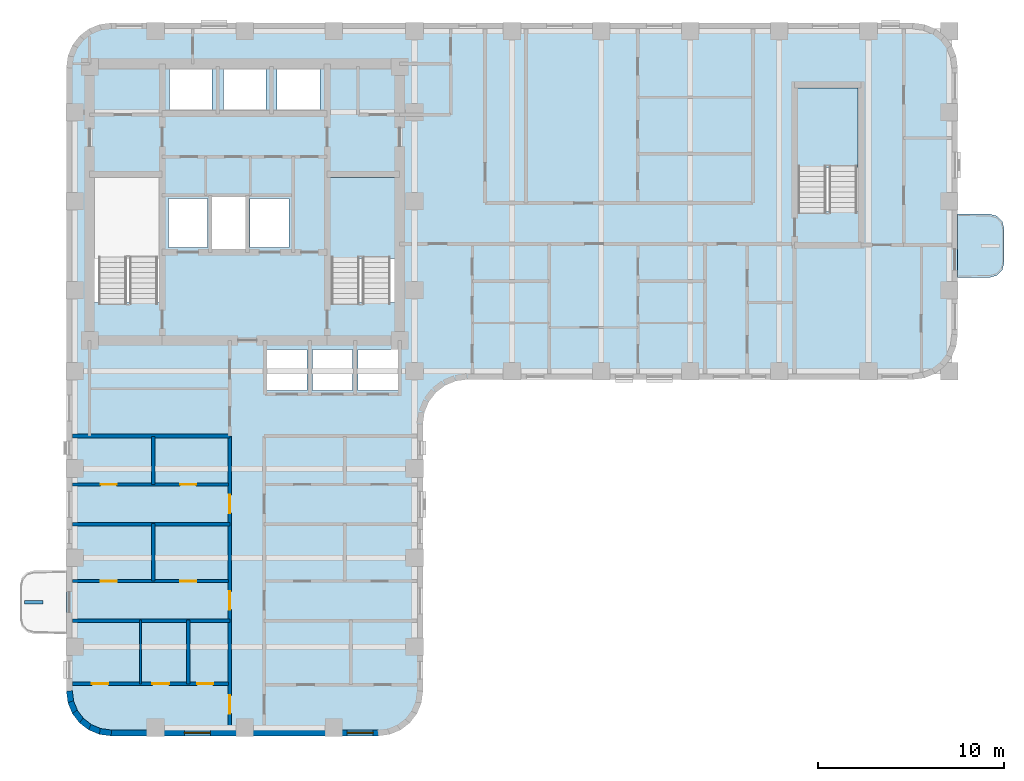
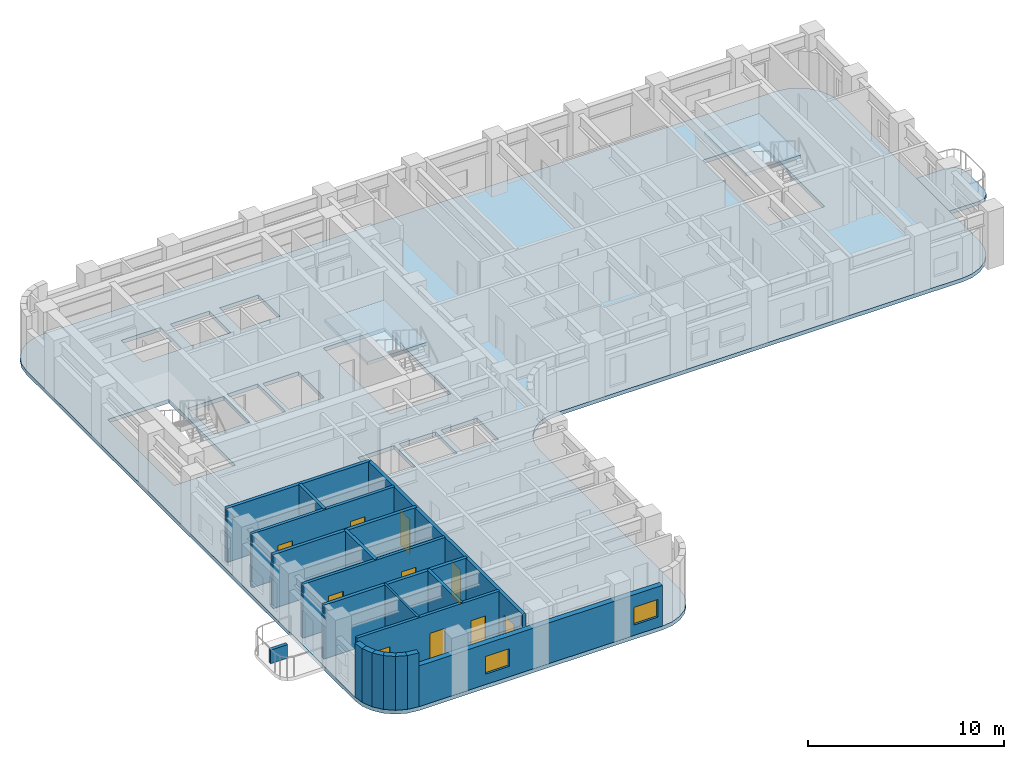
# One storey, part 2 of 10: 19 walls, 10 doors, 4 slabs, 2 windows, 12 openings, 2 elements without a shape of their own.
"""IFC4 building model written with IfcOpenShell, lengths in metres."""

import ifcopenshell
import ifcopenshell.guid

model = None  # the IFC model being written
_history = None  # IfcOwnerHistory: only IFC2X3 demands one
_inside = {}  # id of a spatial element -> (the spatial element, [elements in it])
_under = {}  # id of a project, library or spatial element -> (it, [spatial elements below it])
_declared = {}  # id of a project -> (the project, [libraries it declares])
_typed = {}  # id of a type object -> (the type object, [elements of that type])
_made_of = {}  # id of a material, layer set ... -> (it, [elements and type objects made of it])


def new_model(schema):
    """Start an empty IFC model of exactly this schema.

    Asked for "IFC4X3", IfcOpenShell would pick the latest addendum, in which some entities
    have other attributes; the version numbers below select the first issue.
    IFC2X3 requires an IfcOwnerHistory on every rooted entity: one is made here for all.
    """
    global model, _history
    if schema == "IFC4X3":
        model = ifcopenshell.file(schema_version=(4, 3, 0, 0))
    else:
        model = ifcopenshell.file(schema=schema)
    _inside.clear()
    _under.clear()
    _declared.clear()
    _typed.clear()
    _made_of.clear()
    _history = None
    if model.schema == "IFC2X3":
        org = make("IfcOrganization", Name="unknown")
        user = make(
            "IfcPersonAndOrganization",
            ThePerson=make("IfcPerson", FamilyName="unknown"),
            TheOrganization=org,
        )
        app = make(
            "IfcApplication",
            ApplicationDeveloper=org,
            Version="unknown",
            ApplicationFullName="unknown",
            ApplicationIdentifier="unknown",
        )
        _history = make(
            "IfcOwnerHistory",
            OwningUser=user,
            OwningApplication=app,
            ChangeAction="ADDED",
            CreationDate=0,
        )
    return model


def make(cls, **values):
    """One entity of the class cls with the attributes given. An attribute that is None is left unset."""
    return model.create_entity(
        cls, **{name: value for name, value in values.items() if value is not None}
    )


def rooted(cls, **values):
    """An entity with a GlobalId (a new one), such as an element, a storey or a relation."""
    return make(cls, GlobalId=ifcopenshell.guid.new(), OwnerHistory=_history, **values)


def si_unit(unit_type, name, prefix=None):
    """IfcSIUnit, for example si_unit("LENGTHUNIT", "METRE", prefix="MILLI")."""
    return make("IfcSIUnit", UnitType=unit_type, Prefix=prefix, Name=name)


def assignment(units):
    """IfcUnitAssignment: the units of a project."""
    return None if units is None else make("IfcUnitAssignment", Units=units)


def point(xyz):
    """IfcCartesianPoint."""
    return None if xyz is None else make("IfcCartesianPoint", Coordinates=xyz)


def direction(xyz):
    """IfcDirection."""
    return None if xyz is None else make("IfcDirection", DirectionRatios=xyz)


def frame(location, z_axis=None, x_axis=None):
    """IfcAxis2Placement3D, a coordinate frame: its origin and axes. An axis left out is left unset."""
    return make(
        "IfcAxis2Placement3D",
        Location=point(location),
        Axis=direction(z_axis),
        RefDirection=direction(x_axis),
    )


def frame_2d(location, x_axis=None):
    """IfcAxis2Placement2D, a coordinate frame in the plane: its origin and x axis."""
    return make(
        "IfcAxis2Placement2D", Location=point(location), RefDirection=direction(x_axis)
    )


def origin():
    """The frame at (0, 0, 0) with its axes left unset."""
    return frame((0.0, 0.0, 0.0))


def place(relative_to, where):
    """IfcLocalPlacement: puts the frame where relative to a parent placement (None: the world)."""
    return make(
        "IfcLocalPlacement", PlacementRelTo=relative_to, RelativePlacement=where
    )


def context(
    kind, dimensions, precision=None, world=None, true_north=None, identifier=None
):
    """IfcGeometricRepresentationContext, for example the 3D "Model" context."""
    return make(
        "IfcGeometricRepresentationContext",
        ContextIdentifier=identifier,
        ContextType=kind,
        CoordinateSpaceDimension=dimensions,
        Precision=precision,
        WorldCoordinateSystem=world,
        TrueNorth=true_north,
    )


def subcontext(parent, identifier, kind, view, scale=None):
    """IfcGeometricRepresentationSubContext, for example "Body" below "Model"."""
    return make(
        "IfcGeometricRepresentationSubContext",
        ContextIdentifier=identifier,
        ContextType=kind,
        ParentContext=parent,
        TargetScale=scale,
        TargetView=view,
    )


def project(units=None, contexts=None):
    """IfcProject with its units and contexts."""
    return rooted(
        "IfcProject",
        Name="project",
        RepresentationContexts=contexts,
        UnitsInContext=assignment(units),
    )


def spatial(cls, under=None, at=None, **own):
    """A site, building, storey or space (cls), placed at a placement, below another one or the project."""
    s = rooted(cls, ObjectPlacement=at, **own)
    if under is not None:
        _under.setdefault(under.id(), (under, []))[1].append(s)
    return s


def polyline(points):
    """IfcPolyline through the points."""
    return make("IfcPolyline", Points=[point(p) for p in points])


def profile(cls, at=None, kind="AREA", **sizes):
    """A parametric profile (cls). Its sizes go by their IFC names, for example OverallWidth=200.0."""
    return make(cls, ProfileType=kind, Position=at, **sizes)


def rectangle(**sizes):
    """IfcRectangleProfileDef."""
    return profile("IfcRectangleProfileDef", **sizes)


def outline(outer, holes=None, kind="AREA"):
    """IfcArbitraryClosedProfileDef: a profile drawn as a closed curve; with holes, ...WithVoids."""
    if holes is None:
        return make("IfcArbitraryClosedProfileDef", ProfileType=kind, OuterCurve=outer)
    return make(
        "IfcArbitraryProfileDefWithVoids",
        ProfileType=kind,
        OuterCurve=outer,
        InnerCurves=holes,
    )


def extrude(swept, where, along, depth):
    """IfcExtrudedAreaSolid: the profile swept, set in the frame where, extruded along a direction by depth."""
    return make(
        "IfcExtrudedAreaSolid",
        SweptArea=swept,
        Position=where,
        ExtrudedDirection=direction(along),
        Depth=depth,
    )


def shape(context_of_items, identifier, shape_type, items):
    """IfcShapeRepresentation: the items that make up one representation, for example the "Body"."""
    return make(
        "IfcShapeRepresentation",
        ContextOfItems=context_of_items,
        RepresentationIdentifier=identifier,
        RepresentationType=shape_type,
        Items=items,
    )


def material(Name=None, Category=None):
    """IfcMaterial."""
    return make("IfcMaterial", Name=Name, Category=Category)


def layer(
    of_material, thickness, ventilated=None, Name=None, Category=None, Priority=None
):
    """IfcMaterialLayer: one layer of a wall or slab, of a material (None: an air gap)."""
    return make(
        "IfcMaterialLayer",
        Material=of_material,
        LayerThickness=thickness,
        IsVentilated=ventilated,
        Name=Name,
        Category=Category,
        Priority=Priority,
    )


def layer_set(layers, Name=None):
    """IfcMaterialLayerSet."""
    return make("IfcMaterialLayerSet", MaterialLayers=layers, LayerSetName=Name)


def made_of(thing, what):
    """Note that an element or type object is made of a material, layer set ...; save() writes the relation."""
    if what is not None:
        _made_of.setdefault(what.id(), (what, []))[1].append(thing)
    return thing


def type_object(cls, material=None, **own):
    """A type object (cls), such as IfcWallType, which elements share."""
    return made_of(rooted(cls, **own), material)


def element(
    cls,
    number,
    at=None,
    inside=None,
    cuts=None,
    type_object=None,
    material=None,
    context=None,
    identifier="Body",
    shape_type=None,
    held_by="IfcProductDefinitionShape",
    body=None,
    shapes=None,
    **own,
):
    """One element of the class cls, such as IfcWall. Its Tag is "e" and its number.

    at: its placement. inside: the storey or other place that contains it. cuts: it is an
    opening in that element (IfcRelVoidsElement). A single representation is given by context,
    identifier, shape_type and body (its items); several are given by shapes. held_by: the class
    of the entity that holds the representations. save() writes the other relations.
    """
    e = rooted(cls, Tag="e%d" % number, ObjectPlacement=at, **own)
    if body is not None:
        shapes = [shape(context, identifier, shape_type, body)]
    if shapes is not None:
        e.Representation = make(held_by, Representations=shapes)
    if inside is not None:
        _inside.setdefault(inside.id(), (inside, []))[1].append(e)
    if cuts is not None:
        rooted(
            "IfcRelVoidsElement", RelatingBuildingElement=cuts, RelatedOpeningElement=e
        )
    if type_object is not None:
        _typed.setdefault(type_object.id(), (type_object, []))[1].append(e)
    return made_of(e, material)


def fill(opening, filler):
    """IfcRelFillsElement: the door or window that sits in an opening."""
    return rooted(
        "IfcRelFillsElement",
        RelatingOpeningElement=opening,
        RelatedBuildingElement=filler,
    )


def aggregate(whole, parts):
    """IfcRelAggregates: a whole, such as a stair, and the parts it consists of."""
    return rooted("IfcRelAggregates", RelatingObject=whole, RelatedObjects=parts)


def save(model, path):
    """Write the relations noted so far, then the file.

    IfcRelAggregates (storeys below a building ...), IfcRelContainedInSpatialStructure (elements
    in a storey), IfcRelDefinesByType, IfcRelAssociatesMaterial and IfcRelDeclares: one each for
    every whole, place, type object, material and project.
    """
    for whole, parts in _under.values():
        aggregate(whole, parts)
    for where, things in _inside.values():
        rooted(
            "IfcRelContainedInSpatialStructure",
            RelatedElements=things,
            RelatingStructure=where,
        )
    for kind, things in _typed.values():
        rooted("IfcRelDefinesByType", RelatedObjects=things, RelatingType=kind)
    for what, things in _made_of.values():
        rooted("IfcRelAssociatesMaterial", RelatedObjects=things, RelatingMaterial=what)
    for by, libraries in _declared.values():
        rooted("IfcRelDeclares", RelatingContext=by, RelatedDefinitions=libraries)
    model.write(path)


model = new_model("IFC4")

# Units and contexts
model_context = context("Model", 3, precision=1e-05, world=origin(), true_north=direction((0.0, 1.0)))
body_context = subcontext(model_context, "Body", "Model", "MODEL_VIEW")
ifc_project = project(units=[si_unit("LENGTHUNIT", "METRE"), si_unit("AREAUNIT", "SQUARE_METRE"), si_unit("VOLUMEUNIT", "CUBIC_METRE"), si_unit("PLANEANGLEUNIT", "RADIAN"), si_unit("MASSUNIT", "GRAM", prefix="KILO")], contexts=[model_context])

# Site, building, storey
site_placement = place(None, origin())
site = spatial("IfcSite", under=ifc_project, at=site_placement, CompositionType="ELEMENT")
building_placement = place(site_placement, origin())
building = spatial("IfcBuilding", under=site, at=building_placement, Name="Orvandelia Arch Residences", CompositionType="ELEMENT")
storey_placement = place(building_placement, frame((0.0, 0.0, 118.0)))
storey = spatial("IfcBuildingStorey", under=building, at=storey_placement, Name="L30", CompositionType="ELEMENT", Elevation=118.0)

# Slab
ifc_material_1 = material(Name="Precast concrete C40/50", Category="concrete")
ifc_layer_1 = layer(ifc_material_1, 0.219970703125, Name="Precast concrete C40/50", Category="concrete")
ifc_layer_set_1 = layer_set([ifc_layer_1], Name="Precast concrete C40/50")
slab_type_1 = type_object("IfcSlabType", Name="SLB-BAL-220", PredefinedType="USERDEFINED", material=ifc_layer_set_1)
slab_1_placement = place(storey_placement, frame((0.0, 0.0, -0.219970703125)))
element("IfcSlab", 1, at=slab_1_placement, inside=storey, type_object=slab_type_1, Name="Tree Balcony Cantilever Slab BAL-L30-E1", ObjectType="BALCONY", PredefinedType="USERDEFINED", context=body_context, shape_type="SweptSolid", body=[
    extrude(outline(polyline([(52.800048828125, 37.699951171875), (52.800048828125, 34.300048828125), (54.550048828125, 34.300048828125), (54.925048828125, 34.400390625), (55.199462890625, 34.675048828125), (55.300048828125, 35.050048828125), (55.300048828125, 36.949951171875), (55.199462890625, 37.324951171875), (54.925048828125, 37.599609375), (54.550048828125, 37.699951171875), (52.800048828125, 37.699951171875)])), origin(), (0.0, 0.0, 1.0), 0.219970703125),
])

# Stair, slab
ifc_material_2 = material(Name="Concrete C40/50", Category="concrete")
stair_type = type_object("IfcStairType", Name="STAIR-RC-DOGLEG", PredefinedType="HALF_TURN_STAIR", material=ifc_material_2)
stair_1_placement = place(storey_placement, origin())
stair_1 = element("IfcStair", 2, at=stair_1_placement, inside=storey, type_object=stair_type, Name="L30 Protected Exit Stair ST-2", PredefinedType="HALF_TURN_STAIR")
ifc_layer_2 = layer(ifc_material_2, 0.219970703125, Name="Concrete C40/50", Category="concrete")
ifc_layer_set_2 = layer_set([ifc_layer_2], Name="Concrete C40/50")
slab_type_2 = type_object("IfcSlabType", Name="SLB-LANDING-220", PredefinedType="LANDING", material=ifc_layer_set_2)
slab_2_placement = place(storey_placement, frame((0.0, 0.0, 1.60009765625)))
slab_2 = element("IfcSlab", 3, at=slab_2_placement, type_object=slab_type_2, Name="ST-2 landing 1", PredefinedType="LANDING", context=body_context, shape_type="SweptSolid", body=[
    extrude(outline(polyline([(22.5400390625, 35.31005859375), (22.5400390625, 39.68994140625), (19.0, 39.68994140625), (19.0, 35.31005859375), (22.5400390625, 35.31005859375)])), origin(), (0.0, 0.0, 1.0), 0.199951171875),
])
aggregate(stair_1, [slab_2])

stair_2_placement = place(storey_placement, origin())
stair_2 = element("IfcStair", 4, at=stair_2_placement, inside=storey, type_object=stair_type, Name="L30 East Wing Exit Stair ST-3", PredefinedType="HALF_TURN_STAIR")
slab_3_placement = place(storey_placement, frame((0.0, 0.0, 1.60009765625)))
slab_3 = element("IfcSlab", 5, at=slab_3_placement, type_object=slab_type_2, Name="ST-3 landing 1", PredefinedType="LANDING", context=body_context, shape_type="SweptSolid", body=[
    extrude(outline(polyline([(47.43994140625, 40.2099609375), (47.43994140625, 44.5), (44.179931640625, 44.5), (44.179931640625, 40.2099609375), (47.43994140625, 40.2099609375)])), origin(), (0.0, 0.0, 1.0), 0.199951171875),
])
aggregate(stair_2, [slab_3])

# Slab
ifc_layer_3 = layer(ifc_material_2, 0.239990234375, Name="Concrete C40/50", Category="concrete")
ifc_layer_set_3 = layer_set([ifc_layer_3], Name="Concrete C40/50")
slab_type_3 = type_object("IfcSlabType", Name="SLB-TWR-240", PredefinedType="FLOOR", material=ifc_layer_set_3)
slab_4_placement = place(storey_placement, frame((0.0, 0.0, -0.239990234375)))
element("IfcSlab", 6, at=slab_4_placement, inside=storey, type_object=slab_type_3, Name="Structural Floor Slab L30-1", PredefinedType="FLOOR", context=body_context, shape_type="SweptSolid", body=[
    extrude(outline(polyline([(4.800048828125, 12.0), (4.8818359375, 11.37890625), (5.12158203125, 10.800048828125), (5.5029296875, 10.302978515625), (6.0, 9.92138671875), (6.578857421875, 9.681884765625), (7.199951171875, 9.60009765625), (21.60009765625, 9.60009765625), (22.22119140625, 9.681884765625), (22.800048828125, 9.92138671875), (23.297119140625, 10.302978515625), (23.678466796875, 10.800048828125), (23.918212890625, 11.37890625), (24.0, 12.0), (24.0, 26.39990234375), (24.081787109375, 27.021240234375), (24.321533203125, 27.60009765625), (24.702880859375, 28.09716796875), (25.199951171875, 28.478515625), (25.77880859375, 28.71826171875), (26.39990234375, 28.800048828125), (50.39990234375, 28.800048828125), (51.021240234375, 28.8818359375), (51.60009765625, 29.12158203125), (52.09716796875, 29.5029296875), (52.478515625, 30.0), (52.71826171875, 30.578857421875), (52.800048828125, 31.199951171875), (52.800048828125, 45.60009765625), (52.71826171875, 46.22119140625), (52.478515625, 46.800048828125), (52.09716796875, 47.297119140625), (51.60009765625, 47.678466796875), (51.021240234375, 47.918212890625), (50.39990234375, 48.0), (7.199951171875, 48.0), (6.578857421875, 47.918212890625), (6.0, 47.678466796875), (5.5029296875, 47.297119140625), (5.12158203125, 46.800048828125), (4.8818359375, 46.22119140625), (4.800048828125, 45.60009765625), (4.800048828125, 12.0)]), holes=[polyline([(6.219970703125, 32.949951171875), (9.840087890625, 32.949951171875), (9.840087890625, 39.72998046875), (6.219970703125, 39.72998046875), (6.219970703125, 32.949951171875)]), polyline([(18.9599609375, 32.949951171875), (22.580078125, 32.949951171875), (22.580078125, 39.72998046875), (18.9599609375, 39.72998046875), (18.9599609375, 32.949951171875)]), polyline([(44.139892578125, 37.85009765625), (47.47998046875, 37.85009765625), (47.47998046875, 44.5400390625), (44.139892578125, 44.5400390625), (44.139892578125, 37.85009765625)]), polyline([(12.639892578125, 35.81005859375), (14.4599609375, 35.81005859375), (14.4599609375, 38.639892578125), (12.639892578125, 38.639892578125), (12.639892578125, 35.81005859375)]), polyline([(10.300048828125, 35.89990234375), (12.39990234375, 35.89990234375), (12.39990234375, 38.550048828125), (10.300048828125, 38.550048828125), (10.300048828125, 35.89990234375)]), polyline([(14.699951171875, 35.89990234375), (16.800048828125, 35.89990234375), (16.800048828125, 38.550048828125), (14.699951171875, 38.550048828125), (14.699951171875, 35.89990234375)]), polyline([(10.35009765625, 43.300048828125), (12.64990234375, 43.300048828125), (12.64990234375, 45.5), (10.35009765625, 45.5), (10.35009765625, 43.300048828125)]), polyline([(13.25, 43.300048828125), (15.550048828125, 43.300048828125), (15.550048828125, 45.5), (13.25, 45.5), (13.25, 43.300048828125)]), polyline([(16.14990234375, 43.300048828125), (18.449951171875, 43.300048828125), (18.449951171875, 45.5), (16.14990234375, 45.5), (16.14990234375, 43.300048828125)]), polyline([(15.60009765625, 28.199951171875), (17.75, 28.199951171875), (17.75, 30.39990234375), (15.60009765625, 30.39990234375), (15.60009765625, 28.199951171875)]), polyline([(18.050048828125, 28.199951171875), (20.199951171875, 28.199951171875), (20.199951171875, 30.39990234375), (18.050048828125, 30.39990234375), (18.050048828125, 28.199951171875)]), polyline([(20.5, 28.199951171875), (22.64990234375, 28.199951171875), (22.64990234375, 30.39990234375), (20.5, 30.39990234375), (20.5, 28.199951171875)])]), origin(), (0.0, 0.0, 1.0), 0.239990234375),
])

# Wall, openings, doors
ifc_material_3 = material(Name="Fire-Rated Corridor Partition")
ifc_layer_4 = layer(ifc_material_3, 0.199951171875, Name="Fire-Rated Corridor Partition")
ifc_layer_set_4 = layer_set([ifc_layer_4], Name="Fire-Rated Corridor Partition")
wall_type_1 = type_object("IfcWallType", Name="WL-CORR-200", PredefinedType="PARTITIONING", material=ifc_layer_set_4)
wall_1_placement = place(storey_placement, frame((13.60009765625, 9.919921875, 0.0), z_axis=(0.0, 0.0, 1.0), x_axis=(0.0, 1.0, 0.0)))
wall_1 = element("IfcWall", 7, at=wall_1_placement, inside=storey, type_object=wall_type_1, Name="Interior Partition Wall WL-L30-WC-W", PredefinedType="PARTITIONING", context=body_context, shape_type="SweptSolid", body=[
    extrude(rectangle(XDim=15.830078125, YDim=0.199951171875, at=frame_2d((7.9150390625, 0.0))), origin(), (0.0, 0.0, 1.0), 3.360107421875),
])
opening_1_placement = place(wall_1_placement, frame((0.881103515625, 0.0, 0.0)))
opening_1 = element("IfcOpeningElement", 8, at=opening_1_placement, cuts=wall_1, Name="Opening D1", PredefinedType="OPENING", context=body_context, shape_type="SweptSolid", body=[
    extrude(rectangle(XDim=0.97998046875, YDim=2.179931640625, at=frame_2d((0.489990234375, 1.08984375))), frame((0.0, 0.10986328125, 0.0), z_axis=(0.0, -1.0, 0.0), x_axis=(1.0, 0.0, 0.0)), (0.0, 0.0, 1.0), 0.219970703125),
])
opening_2_placement = place(wall_1_placement, frame((6.47998046875, 0.0, 0.0)))
opening_2 = element("IfcOpeningElement", 9, at=opening_2_placement, cuts=wall_1, Name="Opening D1", PredefinedType="OPENING", context=body_context, shape_type="SweptSolid", body=[
    extrude(rectangle(XDim=0.97998046875, YDim=2.179931640625, at=frame_2d((0.489990234375, 1.08984375))), frame((0.0, 0.10986328125, 0.0), z_axis=(0.0, -1.0, 0.0), x_axis=(1.0, 0.0, 0.0)), (0.0, 0.0, 1.0), 0.219970703125),
])
opening_3_placement = place(wall_1_placement, frame((11.679931640625, 0.0, 0.0)))
opening_3 = element("IfcOpeningElement", 10, at=opening_3_placement, cuts=wall_1, Name="Opening D1", PredefinedType="OPENING", context=body_context, shape_type="SweptSolid", body=[
    extrude(rectangle(XDim=0.97998046875, YDim=2.179931640625, at=frame_2d((0.489990234375, 1.08984375))), frame((0.0, 0.10986328125, 0.0), z_axis=(0.0, -1.0, 0.0), x_axis=(1.0, 0.0, 0.0)), (0.0, 0.0, 1.0), 0.219970703125),
])
ifc_material_4 = material(Name="Solid-Core Timber Acoustic Fire Door", Category="wood")
door_type_1 = type_object("IfcDoorType", Name="DR-ENT-980", OperationType="NOTDEFINED", PredefinedType="DOOR", material=ifc_material_4)
door_1_placement = place(opening_1_placement, origin())
door_1 = element("IfcDoor", 11, at=door_1_placement, inside=storey, type_object=door_type_1, Name="Unit L30-01 Entrance Door", OperationType="SINGLE_SWING_LEFT", OverallHeight=2.179931640625, OverallWidth=0.97998046875, PredefinedType="DOOR", context=body_context, shape_type="SweptSolid", body=[
    extrude(rectangle(XDim=0.97998046875, YDim=2.179931640625, at=frame_2d((0.489990234375, 1.08984375))), frame((0.0, 0.02490234375, 0.0), z_axis=(0.0, -1.0, 0.0), x_axis=(1.0, 0.0, 0.0)), (0.0, 0.0, 1.0), 0.050048828125),
])
fill(opening_1, door_1)
door_2_placement = place(opening_2_placement, origin())
door_2 = element("IfcDoor", 12, at=door_2_placement, inside=storey, type_object=door_type_1, Name="Unit L30-02 Entrance Door", OperationType="SINGLE_SWING_RIGHT", OverallHeight=2.179931640625, OverallWidth=0.97998046875, PredefinedType="DOOR", context=body_context, shape_type="SweptSolid", body=[
    extrude(rectangle(XDim=0.97998046875, YDim=2.179931640625, at=frame_2d((0.489990234375, 1.08984375))), frame((0.0, 0.02490234375, 0.0), z_axis=(0.0, -1.0, 0.0), x_axis=(1.0, 0.0, 0.0)), (0.0, 0.0, 1.0), 0.050048828125),
])
fill(opening_2, door_2)
door_3_placement = place(opening_3_placement, origin())
door_3 = element("IfcDoor", 13, at=door_3_placement, inside=storey, type_object=door_type_1, Name="Unit L30-03 Entrance Door", OperationType="SINGLE_SWING_LEFT", OverallHeight=2.179931640625, OverallWidth=0.97998046875, PredefinedType="DOOR", context=body_context, shape_type="SweptSolid", body=[
    extrude(rectangle(XDim=0.97998046875, YDim=2.179931640625, at=frame_2d((0.489990234375, 1.08984375))), frame((0.0, 0.02490234375, 0.0), z_axis=(0.0, -1.0, 0.0), x_axis=(1.0, 0.0, 0.0)), (0.0, 0.0, 1.0), 0.050048828125),
])
fill(opening_3, door_3)

# Walls
wall_2_placement = place(storey_placement, frame((5.1201171875, 25.75, 0.0), z_axis=(0.0, 0.0, 1.0), x_axis=(1.0, 0.0, 0.0)))
element("IfcWall", 14, at=wall_2_placement, inside=storey, type_object=wall_type_1, Name="Interior Partition Wall WL-L30-WCLS-W", PredefinedType="PARTITIONING", context=body_context, shape_type="SweptSolid", body=[
    extrude(rectangle(XDim=8.47998046875, YDim=0.199951171875, at=frame_2d((4.239990234375, 0.0))), origin(), (0.0, 0.0, 1.0), 3.360107421875),
])
ifc_layer_5 = layer(ifc_material_2, 0.199951171875, Name="Concrete C40/50", Category="concrete")
ifc_layer_set_5 = layer_set([ifc_layer_5], Name="Concrete C40/50")
wall_type_2 = type_object("IfcWallType", Name="WL-DEM-200", PredefinedType="SOLIDWALL", material=ifc_layer_set_5)
for number, where, z_axis, x_axis, name in (
    (15, (5.1201171875, 15.800048828125, 0.0), (0.0, 0.0, 1.0), (1.0, 0.0, 0.0), "Interior Partition Wall WL-L30-DEM-WL-158"),
    (16, (5.1201171875, 21.0, 0.0), (0.0, 0.0, 1.0), (1.0, 0.0, 0.0), "Interior Partition Wall WL-L30-DEM-WL-210"),
):
    element("IfcWall", number, at=place(storey_placement, frame(where, z_axis=z_axis, x_axis=x_axis)), inside=storey, type_object=wall_type_2, Name=name, PredefinedType="SOLIDWALL", context=body_context, shape_type="SweptSolid", body=[
        extrude(rectangle(XDim=8.47998046875, YDim=0.199951171875, at=frame_2d((4.239990234375, 0.0))), origin(), (0.0, 0.0, 1.0), 3.360107421875),
    ])

# Wall, openings, windows
ifc_layer_6 = layer(ifc_material_1, 0.320068359375, Name="Precast concrete C40/50", Category="concrete")
ifc_layer_set_6 = layer_set([ifc_layer_6], Name="Precast concrete C40/50")
wall_type_3 = type_object("IfcWallType", Name="WL-EXT-STONE-320", PredefinedType="STANDARD", material=ifc_layer_set_6)
wall_3_placement = place(storey_placement, frame((21.60009765625, 9.760009765625, 0.0), z_axis=(0.0, 0.0, 1.0), x_axis=(-1.0, 0.0, 0.0)))
wall_3 = element("IfcWall", 17, at=wall_3_placement, inside=storey, type_object=wall_type_3, Name="Coral-Limestone Precast Facade Wall L30-035", PredefinedType="STANDARD", context=body_context, shape_type="SweptSolid", body=[
    extrude(rectangle(XDim=14.400146484375, YDim=0.320068359375, at=frame_2d((7.2001953125, 0.0))), origin(), (0.0, 0.0, 1.0), 2.5400390625),
])
opening_4_placement = place(wall_3_placement, frame((0.282470703125, 0.0, 0.64990234375)))
opening_4 = element("IfcOpeningElement", 18, at=opening_4_placement, cuts=wall_3, Name="Opening W10", PredefinedType="OPENING", context=body_context, shape_type="SweptSolid", body=[
    extrude(rectangle(XDim=1.39990234375, YDim=1.10009765625, at=frame_2d((0.699951171875, 0.550048828125))), frame((0.0, 0.169921875, 0.0), z_axis=(0.0, -1.0, 0.0), x_axis=(1.0, 0.0, 0.0)), (0.0, 0.0, 1.0), 0.340087890625),
])
opening_5_placement = place(wall_3_placement, frame((9.052490234375, 0.0, 0.64990234375)))
opening_5 = element("IfcOpeningElement", 19, at=opening_5_placement, cuts=wall_3, Name="Opening W10", PredefinedType="OPENING", context=body_context, shape_type="SweptSolid", body=[
    extrude(rectangle(XDim=1.39990234375, YDim=1.10009765625, at=frame_2d((0.699951171875, 0.550048828125))), frame((0.0, 0.169921875, 0.0), z_axis=(0.0, -1.0, 0.0), x_axis=(1.0, 0.0, 0.0)), (0.0, 0.0, 1.0), 0.340087890625),
])
ifc_material_5 = material(Name="Tempered Low-E Insulated Glazing", Category="glass")
window_type = type_object("IfcWindowType", Name="WIN-CLR-1400x1100", PartitioningType="SINGLE_PANEL", PredefinedType="WINDOW", material=ifc_material_5)
window_1_placement = place(opening_4_placement, origin())
window_1 = element("IfcWindow", 20, at=window_1_placement, inside=storey, type_object=window_type, Name="Recessed Punched Window L30-022", OverallHeight=1.10009765625, OverallWidth=1.39990234375, PartitioningType="SINGLE_PANEL", PredefinedType="WINDOW", context=body_context, shape_type="SweptSolid", body=[
    extrude(rectangle(XDim=1.39990234375, YDim=1.10009765625, at=frame_2d((0.699951171875, 0.550048828125))), frame((0.0, 0.030029296875, 0.0), z_axis=(0.0, -1.0, 0.0), x_axis=(1.0, 0.0, 0.0)), (0.0, 0.0, 1.0), 0.06005859375),
])
fill(opening_4, window_1)
window_2_placement = place(opening_5_placement, origin())
window_2 = element("IfcWindow", 21, at=window_2_placement, inside=storey, type_object=window_type, Name="Recessed Punched Window L30-023", OverallHeight=1.10009765625, OverallWidth=1.39990234375, PartitioningType="SINGLE_PANEL", PredefinedType="WINDOW", context=body_context, shape_type="SweptSolid", body=[
    extrude(rectangle(XDim=1.39990234375, YDim=1.10009765625, at=frame_2d((0.699951171875, 0.550048828125))), frame((0.0, 0.030029296875, 0.0), z_axis=(0.0, -1.0, 0.0), x_axis=(1.0, 0.0, 0.0)), (0.0, 0.0, 1.0), 0.06005859375),
])
fill(opening_5, window_2)

# Walls
wall_4_placement = place(storey_placement, frame((7.220947265625, 9.758544921875, 0.0), z_axis=(0.0, 0.0, 1.0), x_axis=(-0.991447664465, 0.130504898859, 0.0)))
element("IfcWall", 22, at=wall_4_placement, inside=storey, type_object=wall_type_3, Name="Coral-Limestone Precast Facade Wall L30-036", PredefinedType="STANDARD", context=body_context, shape_type="SweptSolid", body=[
    extrude(rectangle(XDim=0.626708984375, YDim=0.320068359375, at=frame_2d((0.3134765625, 0.0))), origin(), (0.0, 0.0, 1.0), 3.360107421875),
])
wall_5_placement = place(storey_placement, frame((6.639892578125, 9.82958984375, 0.0), z_axis=(0.0, 0.0, 1.0), x_axis=(-0.923836271867, 0.382787856107, 0.0)))
element("IfcWall", 23, at=wall_5_placement, inside=storey, type_object=wall_type_3, Name="Coral-Limestone Precast Facade Wall L30-037", PredefinedType="STANDARD", context=body_context, shape_type="SweptSolid", body=[
    extrude(rectangle(XDim=0.626220703125, YDim=0.320068359375, at=frame_2d((0.31298828125, 0.0))), origin(), (0.0, 0.0, 1.0), 3.360107421875),
])
wall_6_placement = place(storey_placement, frame((6.097412109375, 10.04833984375, 0.0), z_axis=(0.0, 0.0, 1.0), x_axis=(-0.793405610854, 0.608693302629, 0.0)))
element("IfcWall", 24, at=wall_6_placement, inside=storey, type_object=wall_type_3, Name="Coral-Limestone Precast Facade Wall L30-038", PredefinedType="STANDARD", context=body_context, shape_type="SweptSolid", body=[
    extrude(rectangle(XDim=0.62646484375, YDim=0.320068359375, at=frame_2d((0.313232421875, 0.0))), origin(), (0.0, 0.0, 1.0), 3.360107421875),
])
wall_7_placement = place(storey_placement, frame((5.6298828125, 10.400390625, 0.0), z_axis=(0.0, 0.0, 1.0), x_axis=(-0.608938521285, 0.7932174212, 0.0)))
element("IfcWall", 25, at=wall_7_placement, inside=storey, type_object=wall_type_3, Name="Coral-Limestone Precast Facade Wall L30-039", PredefinedType="STANDARD", context=body_context, shape_type="SweptSolid", body=[
    extrude(rectangle(XDim=0.626708984375, YDim=0.320068359375, at=frame_2d((0.3134765625, 0.0))), origin(), (0.0, 0.0, 1.0), 3.360107421875),
])
wall_8_placement = place(storey_placement, frame((5.269287109375, 10.861083984375, 0.0), z_axis=(0.0, 0.0, 1.0), x_axis=(-0.382650053678, 0.92389335771, 0.0)))
element("IfcWall", 26, at=wall_8_placement, inside=storey, type_object=wall_type_3, Name="Coral-Limestone Precast Facade Wall L30-040", PredefinedType="STANDARD", context=body_context, shape_type="SweptSolid", body=[
    extrude(rectangle(XDim=0.62646484375, YDim=0.320068359375, at=frame_2d((0.313232421875, 0.0))), origin(), (0.0, 0.0, 1.0), 3.360107421875),
])
wall_9_placement = place(storey_placement, frame((5.040283203125, 11.399658203125, 0.0), z_axis=(0.0, 0.0, 1.0), x_axis=(-0.130504898859, 0.991447664465, 0.0)))
element("IfcWall", 27, at=wall_9_placement, inside=storey, type_object=wall_type_3, Name="Coral-Limestone Precast Facade Wall L30-041", PredefinedType="STANDARD", context=body_context, shape_type="SweptSolid", body=[
    extrude(rectangle(XDim=0.626708984375, YDim=0.320068359375, at=frame_2d((0.3134765625, 0.0))), origin(), (0.0, 0.0, 1.0), 3.360107421875),
])
ifc_material_6 = material(Name="Lightweight Gypsum Stud Partition")
ifc_layer_7 = layer(ifc_material_6, 0.1201171875, Name="Lightweight Gypsum Stud Partition")
ifc_layer_set_7 = layer_set([ifc_layer_7], Name="Lightweight Gypsum Stud Partition")
wall_type_4 = type_object("IfcWallType", Name="WL-PART-120", PredefinedType="PARTITIONING", material=ifc_layer_set_7)
wall_10_placement = place(storey_placement, frame((8.791015625, 12.402099609375, 0.0), z_axis=(0.0, 0.0, 1.0), x_axis=(0.0, 1.0, 0.0)))
element("IfcWall", 28, at=wall_10_placement, inside=storey, type_object=wall_type_4, Name="Interior Partition Wall WL-L30-U01-V1", PredefinedType="PARTITIONING", context=body_context, shape_type="SweptSolid", body=[
    extrude(rectangle(XDim=3.43798828125, YDim=0.1201171875, at=frame_2d((1.718994140625, 0.0))), origin(), (0.0, 0.0, 1.0), 3.360107421875),
])
ifc_layer_8 = layer(ifc_material_1, 0.199951171875, Name="Precast concrete C40/50", Category="concrete")
ifc_layer_set_8 = layer_set([ifc_layer_8], Name="Precast concrete C40/50")
wall_type_5 = type_object("IfcWallType", Name="WL-PLANTER-200", PredefinedType="MOVABLE", material=ifc_layer_set_8)
wall_11_placement = place(storey_placement, frame((2.550048828125, 16.800048828125, 0.0), z_axis=(0.0, 0.0, 1.0), x_axis=(1.0, 0.0, 0.0)))
element("IfcWall", 29, at=wall_11_placement, inside=storey, type_object=wall_type_5, Name="Balcony Precast Tree Planter BAL-L30-W1", PredefinedType="MOVABLE", context=body_context, shape_type="SweptSolid", body=[
    extrude(rectangle(XDim=1.0, YDim=0.199951171875, at=frame_2d((0.5, 0.0))), origin(), (0.0, 0.0, 1.0), 0.85009765625),
])

# Wall, openings, doors
ifc_material_7 = material(Name="Moisture-Resistant Plumbing Wall")
ifc_layer_9 = layer(ifc_material_7, 0.179931640625, Name="Moisture-Resistant Plumbing Wall")
ifc_layer_set_9 = layer_set([ifc_layer_9], Name="Moisture-Resistant Plumbing Wall")
wall_type_6 = type_object("IfcWallType", Name="WL-WET-180", PredefinedType="PLUMBINGWALL", material=ifc_layer_set_9)
wall_12_placement = place(storey_placement, frame((5.1201171875, 12.402099609375, 0.0), z_axis=(0.0, 0.0, 1.0), x_axis=(1.0, 0.0, 0.0)))
wall_12 = element("IfcWall", 30, at=wall_12_placement, inside=storey, type_object=wall_type_6, Name="Interior Partition Wall WL-L30-U01-HZ", PredefinedType="PLUMBINGWALL", context=body_context, shape_type="SweptSolid", body=[
    extrude(rectangle(XDim=8.419921875, YDim=0.179931640625, at=frame_2d((4.2099609375, 0.0))), origin(), (0.0, 0.0, 1.0), 3.360107421875),
])
opening_6_placement = place(wall_12_placement, frame((1.04638671875, 0.0, 0.0)))
opening_6 = element("IfcOpeningElement", 31, at=opening_6_placement, cuts=wall_12, Name="Opening D3", PredefinedType="OPENING", context=body_context, shape_type="SweptSolid", body=[
    extrude(rectangle(XDim=0.89990234375, YDim=2.14990234375, at=frame_2d((0.449951171875, 1.074951171875))), frame((0.0, 0.10009765625, 0.0), z_axis=(0.0, -1.0, 0.0), x_axis=(1.0, 0.0, 0.0)), (0.0, 0.0, 1.0), 0.199951171875),
])
opening_7_placement = place(wall_12_placement, frame((4.307373046875, 0.0, 0.0)))
opening_7 = element("IfcOpeningElement", 32, at=opening_7_placement, cuts=wall_12, Name="Opening D3", PredefinedType="OPENING", context=body_context, shape_type="SweptSolid", body=[
    extrude(rectangle(XDim=0.89990234375, YDim=2.14990234375, at=frame_2d((0.449951171875, 1.074951171875))), frame((0.0, 0.10009765625, 0.0), z_axis=(0.0, -1.0, 0.0), x_axis=(1.0, 0.0, 0.0)), (0.0, 0.0, 1.0), 0.199951171875),
])
opening_8_placement = place(wall_12_placement, frame((6.723388671875, 0.0, 0.0)))
opening_8 = element("IfcOpeningElement", 33, at=opening_8_placement, cuts=wall_12, Name="Opening D4", PredefinedType="OPENING", context=body_context, shape_type="SweptSolid", body=[
    extrude(rectangle(XDim=0.860107421875, YDim=2.10009765625, at=frame_2d((0.43017578125, 1.050048828125))), frame((0.0, 0.10009765625, 0.0), z_axis=(0.0, -1.0, 0.0), x_axis=(1.0, 0.0, 0.0)), (0.0, 0.0, 1.0), 0.199951171875),
])
ifc_material_8 = material(Name="Engineered Timber Flush Door", Category="wood")
door_type_2 = type_object("IfcDoorType", Name="DR-INT-900", OperationType="NOTDEFINED", PredefinedType="DOOR", material=ifc_material_8)
door_4_placement = place(opening_6_placement, origin())
door_4 = element("IfcDoor", 34, at=door_4_placement, inside=storey, type_object=door_type_2, Name="DR-L30-U01-BD1", OperationType="SINGLE_SWING_LEFT", OverallHeight=2.14990234375, OverallWidth=0.89990234375, PredefinedType="DOOR", context=body_context, shape_type="SweptSolid", body=[
    extrude(rectangle(XDim=0.89990234375, YDim=2.14990234375, at=frame_2d((0.449951171875, 1.074951171875))), frame((0.0, 0.02490234375, 0.0), z_axis=(0.0, -1.0, 0.0), x_axis=(1.0, 0.0, 0.0)), (0.0, 0.0, 1.0), 0.050048828125),
])
fill(opening_6, door_4)
door_5_placement = place(opening_7_placement, origin())
door_5 = element("IfcDoor", 35, at=door_5_placement, inside=storey, type_object=door_type_2, Name="DR-L30-U01-KIT", OperationType="SINGLE_SWING_RIGHT", OverallHeight=2.14990234375, OverallWidth=0.89990234375, PredefinedType="DOOR", context=body_context, shape_type="SweptSolid", body=[
    extrude(rectangle(XDim=0.89990234375, YDim=2.14990234375, at=frame_2d((0.449951171875, 1.074951171875))), frame((0.0, 0.02490234375, 0.0), z_axis=(0.0, -1.0, 0.0), x_axis=(1.0, 0.0, 0.0)), (0.0, 0.0, 1.0), 0.050048828125),
])
fill(opening_7, door_5)
ifc_material_9 = material(Name="Moisture-Sealed Timber Bathroom Door", Category="wood")
door_type_3 = type_object("IfcDoorType", Name="DR-WET-900", OperationType="NOTDEFINED", PredefinedType="DOOR", material=ifc_material_9)
door_6_placement = place(opening_8_placement, origin())
door_6 = element("IfcDoor", 36, at=door_6_placement, inside=storey, type_object=door_type_3, Name="DR-L30-U01-BTH", OperationType="SINGLE_SWING_LEFT", OverallHeight=2.10009765625, OverallWidth=0.860107421875, PredefinedType="DOOR", context=body_context, shape_type="SweptSolid", body=[
    extrude(rectangle(XDim=0.860107421875, YDim=2.10009765625, at=frame_2d((0.43017578125, 1.050048828125))), frame((0.0, 0.02490234375, 0.0), z_axis=(0.0, -1.0, 0.0), x_axis=(1.0, 0.0, 0.0)), (0.0, 0.0, 1.0), 0.050048828125),
])
fill(opening_8, door_6)

# Wall
wall_13_placement = place(storey_placement, frame((11.35498046875, 12.402099609375, 0.0), z_axis=(0.0, 0.0, 1.0), x_axis=(0.0, 1.0, 0.0)))
element("IfcWall", 37, at=wall_13_placement, inside=storey, type_object=wall_type_6, Name="Interior Partition Wall WL-L30-U01-V2", PredefinedType="PLUMBINGWALL", context=body_context, shape_type="SweptSolid", body=[
    extrude(rectangle(XDim=3.43798828125, YDim=0.179931640625, at=frame_2d((1.718994140625, 0.0))), origin(), (0.0, 0.0, 1.0), 3.360107421875),
])

# Wall, openings, doors
wall_14_placement = place(storey_placement, frame((5.1201171875, 17.93994140625, 0.0), z_axis=(0.0, 0.0, 1.0), x_axis=(1.0, 0.0, 0.0)))
wall_14 = element("IfcWall", 38, at=wall_14_placement, inside=storey, type_object=wall_type_6, Name="Interior Partition Wall WL-L30-U02-HZ", PredefinedType="PLUMBINGWALL", context=body_context, shape_type="SweptSolid", body=[
    extrude(rectangle(XDim=8.419921875, YDim=0.179931640625, at=frame_2d((4.2099609375, 0.0))), origin(), (0.0, 0.0, 1.0), 3.360107421875),
])
opening_9_placement = place(wall_14_placement, frame((1.52001953125, 0.0, 0.0)))
opening_9 = element("IfcOpeningElement", 39, at=opening_9_placement, cuts=wall_14, Name="Opening D4", PredefinedType="OPENING", context=body_context, shape_type="SweptSolid", body=[
    extrude(rectangle(XDim=0.860107421875, YDim=2.10009765625, at=frame_2d((0.43017578125, 1.050048828125))), frame((0.0, 0.10009765625, 0.0), z_axis=(0.0, -1.0, 0.0), x_axis=(1.0, 0.0, 0.0)), (0.0, 0.0, 1.0), 0.199951171875),
])
opening_10_placement = place(wall_14_placement, frame((5.81005859375, 0.0, 0.0)))
opening_10 = element("IfcOpeningElement", 40, at=opening_10_placement, cuts=wall_14, Name="Opening D4", PredefinedType="OPENING", context=body_context, shape_type="SweptSolid", body=[
    extrude(rectangle(XDim=0.860107421875, YDim=2.10009765625, at=frame_2d((0.43017578125, 1.050048828125))), frame((0.0, 0.10009765625, 0.0), z_axis=(0.0, -1.0, 0.0), x_axis=(1.0, 0.0, 0.0)), (0.0, 0.0, 1.0), 0.199951171875),
])
door_7_placement = place(opening_9_placement, origin())
door_7 = element("IfcDoor", 41, at=door_7_placement, inside=storey, type_object=door_type_3, Name="DR-L30-U02-KIT", OperationType="SINGLE_SWING_RIGHT", OverallHeight=2.10009765625, OverallWidth=0.860107421875, PredefinedType="DOOR", context=body_context, shape_type="SweptSolid", body=[
    extrude(rectangle(XDim=0.860107421875, YDim=2.10009765625, at=frame_2d((0.43017578125, 1.050048828125))), frame((0.0, 0.02490234375, 0.0), z_axis=(0.0, -1.0, 0.0), x_axis=(1.0, 0.0, 0.0)), (0.0, 0.0, 1.0), 0.050048828125),
])
fill(opening_9, door_7)
door_8_placement = place(opening_10_placement, origin())
door_8 = element("IfcDoor", 42, at=door_8_placement, inside=storey, type_object=door_type_3, Name="DR-L30-U02-BTH", OperationType="SINGLE_SWING_LEFT", OverallHeight=2.10009765625, OverallWidth=0.860107421875, PredefinedType="DOOR", context=body_context, shape_type="SweptSolid", body=[
    extrude(rectangle(XDim=0.860107421875, YDim=2.10009765625, at=frame_2d((0.43017578125, 1.050048828125))), frame((0.0, 0.02490234375, 0.0), z_axis=(0.0, -1.0, 0.0), x_axis=(1.0, 0.0, 0.0)), (0.0, 0.0, 1.0), 0.050048828125),
])
fill(opening_10, door_8)

# Wall
wall_15_placement = place(storey_placement, frame((9.469970703125, 17.93994140625, 0.0), z_axis=(0.0, 0.0, 1.0), x_axis=(0.0, 1.0, 0.0)))
element("IfcWall", 43, at=wall_15_placement, inside=storey, type_object=wall_type_6, Name="Interior Partition Wall WL-L30-U02-V1", PredefinedType="PLUMBINGWALL", context=body_context, shape_type="SweptSolid", body=[
    extrude(rectangle(XDim=3.10009765625, YDim=0.179931640625, at=frame_2d((1.550048828125, 0.0))), origin(), (0.0, 0.0, 1.0), 3.360107421875),
])

# Wall, openings, doors
wall_16_placement = place(storey_placement, frame((5.1201171875, 23.139892578125, 0.0), z_axis=(0.0, 0.0, 1.0), x_axis=(1.0, 0.0, 0.0)))
wall_16 = element("IfcWall", 44, at=wall_16_placement, inside=storey, type_object=wall_type_6, Name="Interior Partition Wall WL-L30-U03-HZ", PredefinedType="PLUMBINGWALL", context=body_context, shape_type="SweptSolid", body=[
    extrude(rectangle(XDim=8.419921875, YDim=0.179931640625, at=frame_2d((4.2099609375, 0.0))), origin(), (0.0, 0.0, 1.0), 3.360107421875),
])
opening_11_placement = place(wall_16_placement, frame((1.52001953125, 0.0, 0.0)))
opening_11 = element("IfcOpeningElement", 45, at=opening_11_placement, cuts=wall_16, Name="Opening D4", PredefinedType="OPENING", context=body_context, shape_type="SweptSolid", body=[
    extrude(rectangle(XDim=0.860107421875, YDim=2.10009765625, at=frame_2d((0.43017578125, 1.050048828125))), frame((0.0, 0.10009765625, 0.0), z_axis=(0.0, -1.0, 0.0), x_axis=(1.0, 0.0, 0.0)), (0.0, 0.0, 1.0), 0.199951171875),
])
opening_12_placement = place(wall_16_placement, frame((5.81005859375, 0.0, 0.0)))
opening_12 = element("IfcOpeningElement", 46, at=opening_12_placement, cuts=wall_16, Name="Opening D4", PredefinedType="OPENING", context=body_context, shape_type="SweptSolid", body=[
    extrude(rectangle(XDim=0.860107421875, YDim=2.10009765625, at=frame_2d((0.43017578125, 1.050048828125))), frame((0.0, 0.10009765625, 0.0), z_axis=(0.0, -1.0, 0.0), x_axis=(1.0, 0.0, 0.0)), (0.0, 0.0, 1.0), 0.199951171875),
])
door_9_placement = place(opening_11_placement, origin())
door_9 = element("IfcDoor", 47, at=door_9_placement, inside=storey, type_object=door_type_3, Name="DR-L30-U03-KIT", OperationType="SINGLE_SWING_LEFT", OverallHeight=2.10009765625, OverallWidth=0.860107421875, PredefinedType="DOOR", context=body_context, shape_type="SweptSolid", body=[
    extrude(rectangle(XDim=0.860107421875, YDim=2.10009765625, at=frame_2d((0.43017578125, 1.050048828125))), frame((0.0, 0.02490234375, 0.0), z_axis=(0.0, -1.0, 0.0), x_axis=(1.0, 0.0, 0.0)), (0.0, 0.0, 1.0), 0.050048828125),
])
fill(opening_11, door_9)
door_10_placement = place(opening_12_placement, origin())
door_10 = element("IfcDoor", 48, at=door_10_placement, inside=storey, type_object=door_type_3, Name="DR-L30-U03-BTH", OperationType="SINGLE_SWING_RIGHT", OverallHeight=2.10009765625, OverallWidth=0.860107421875, PredefinedType="DOOR", context=body_context, shape_type="SweptSolid", body=[
    extrude(rectangle(XDim=0.860107421875, YDim=2.10009765625, at=frame_2d((0.43017578125, 1.050048828125))), frame((0.0, 0.02490234375, 0.0), z_axis=(0.0, -1.0, 0.0), x_axis=(1.0, 0.0, 0.0)), (0.0, 0.0, 1.0), 0.050048828125),
])
fill(opening_12, door_10)

# Wall
wall_17_placement = place(storey_placement, frame((9.469970703125, 23.139892578125, 0.0), z_axis=(0.0, 0.0, 1.0), x_axis=(0.0, 1.0, 0.0)))
element("IfcWall", 49, at=wall_17_placement, inside=storey, type_object=wall_type_6, Name="Interior Partition Wall WL-L30-U03-V1", PredefinedType="PLUMBINGWALL", context=body_context, shape_type="SweptSolid", body=[
    extrude(rectangle(XDim=2.580078125, YDim=0.179931640625, at=frame_2d((1.2900390625, 0.0))), origin(), (0.0, 0.0, 1.0), 3.360107421875),
])

save(model, "model.ifc")
